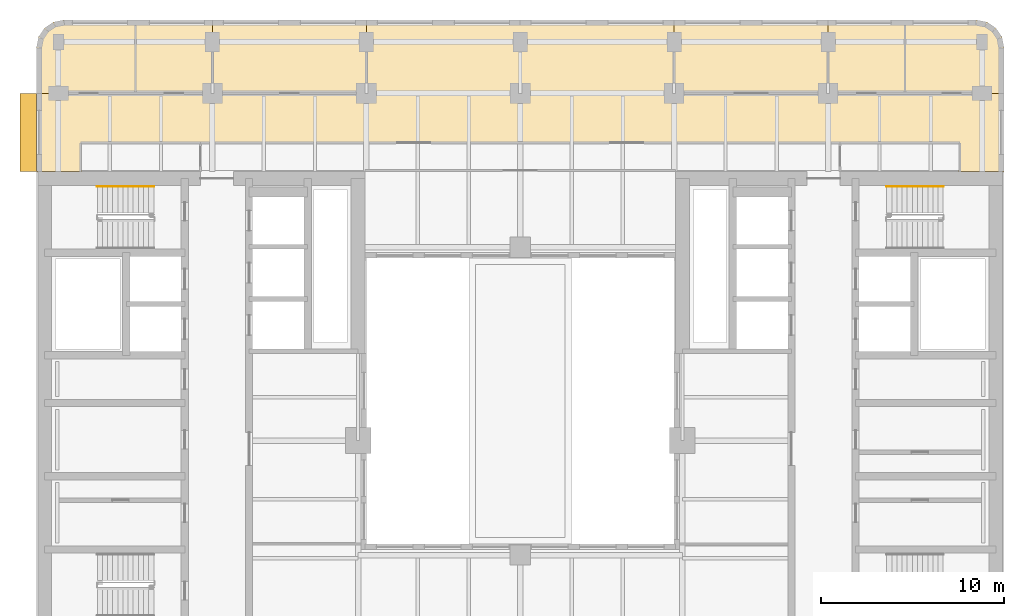
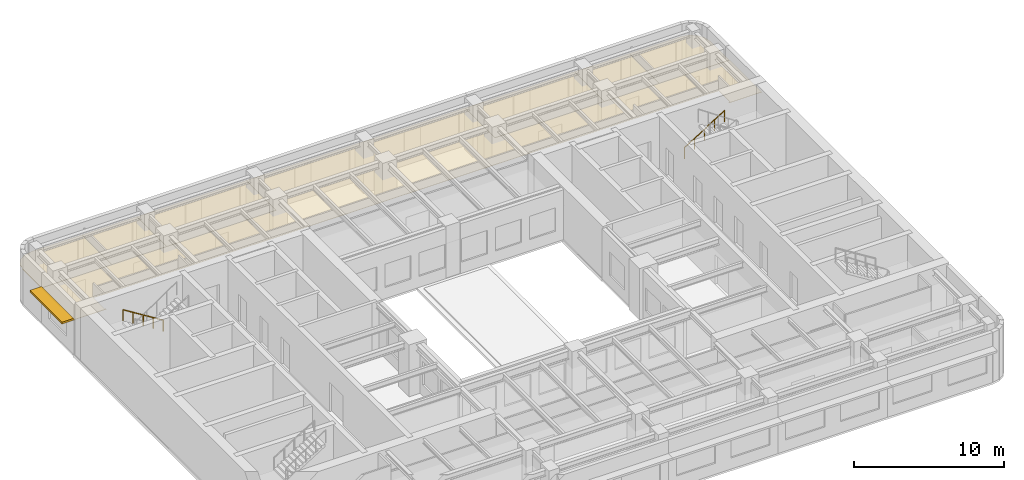
# One storey, part 11 of 11: 7 coverings, 2 railings, 1 shading device.
"""IFC4 building model written with IfcOpenShell, lengths in metres."""

from ifc_helpers import new_model, si_unit, direction, frame, origin, origin_2d, place, context, subcontext, project, spatial, polyline, rectangle, circle, outline, extrude, material, layer, layer_set, type_object, element, save


model = new_model("IFC4")

# Units and contexts
model_context = context("Model", 3, precision=1e-05, world=origin(), true_north=direction((0.0, 1.0)))
body_context = subcontext(model_context, "Body", "Model", "MODEL_VIEW")
ifc_project = project(units=[si_unit("LENGTHUNIT", "METRE"), si_unit("AREAUNIT", "SQUARE_METRE"), si_unit("VOLUMEUNIT", "CUBIC_METRE"), si_unit("PLANEANGLEUNIT", "RADIAN"), si_unit("MASSUNIT", "GRAM", prefix="KILO")], contexts=[model_context])

# Site, building, storey
site_placement = place(None, origin())
site = spatial("IfcSite", under=ifc_project, at=site_placement, CompositionType="ELEMENT")
building_placement = place(site_placement, origin())
building = spatial("IfcBuilding", under=site, at=building_placement, Name="Claustro Exchange Tower", CompositionType="ELEMENT")
storey_placement = place(building_placement, frame((0.0, 0.0, 177.60009765625)))
storey = spatial("IfcBuildingStorey", under=building, at=storey_placement, Name="L40", CompositionType="ELEMENT", Elevation=177.60009765625)

# Coverings
ifc_material_1 = material(Name="Perforated metal ceiling tiles", Category="steel")
ifc_layer_1 = layer(ifc_material_1, 0.030029296875)
ifc_layer_set_1 = layer_set([ifc_layer_1], Name="Perforated metal ceiling tiles")
covering_type_1 = type_object("IfcCoveringType", Name="CL1 suspended metal ceiling", PredefinedType="CEILING", material=ifc_layer_set_1)
covering_1_placement = place(storey_placement, frame((0.0, 0.0, 2.7998046875)))
element("IfcCovering", 1, at=covering_1_placement, inside=storey, type_object=covering_type_1, Name="Ceiling CL1 L40-17", PredefinedType="CEILING", context=body_context, shape_type="SweptSolid", body=[
    extrude(outline(polyline([(-1.125, 37.72509765625), (1.294921875, 37.72509765625), (1.294921875, 37.800048828125), (1.199951171875, 37.800048828125), (1.199951171875, 39.300048828125), (49.199951171875, 39.300048828125), (49.199951171875, 37.800048828125), (49.10498046875, 37.800048828125), (49.10498046875, 37.72509765625), (51.52490234375, 37.72509765625), (51.52490234375, 37.705078125), (51.60009765625, 37.705078125), (51.60009765625, 42.0), (33.60009765625, 42.0), (33.60009765625, 46.0), (16.800048828125, 46.0), (16.800048828125, 42.0), (-1.199951171875, 42.0), (-1.199951171875, 37.705078125), (-1.125, 37.705078125), (-1.125, 37.72509765625)])), origin(), (0.0, 0.0, 1.0), 0.030029296875),
])
ifc_material_2 = material(Name="Gypsum board ceiling", Category="gypsum board")
ifc_layer_2 = layer(ifc_material_2, 0.02490234375)
ifc_layer_set_2 = layer_set([ifc_layer_2], Name="Gypsum board ceiling")
covering_type_2 = type_object("IfcCoveringType", Name="CL2 plasterboard ceiling", PredefinedType="CEILING", material=ifc_layer_set_2)
covering_2_placement = place(storey_placement, frame((0.0, 0.0, 2.7998046875)))
element("IfcCovering", 2, at=covering_2_placement, inside=storey, type_object=covering_type_2, Name="Ceiling CL2 L40-18", PredefinedType="CEILING", context=body_context, shape_type="SweptSolid", body=[
    extrude(outline(polyline([(-1.199951171875, 44.5), (-1.199951171875, 42.0), (4.199951171875, 42.0), (4.199951171875, 46.0), (0.300048828125, 46.0), (-0.27392578125, 45.8857421875), (-0.7607421875, 45.560791015625), (-1.085693359375, 45.073974609375), (-1.199951171875, 44.5)])), origin(), (0.0, 0.0, 1.0), 0.025146484375),
])
covering_3_placement = place(storey_placement, frame((0.0, 0.0, 2.7998046875)))
element("IfcCovering", 3, at=covering_3_placement, inside=storey, type_object=covering_type_2, Name="Ceiling CL2 L40-19", PredefinedType="CEILING", context=body_context, shape_type="SweptSolid", body=[
    extrude(outline(polyline([(8.39990234375, 46.0), (4.199951171875, 46.0), (4.199951171875, 42.0), (8.39990234375, 42.0), (8.39990234375, 46.0)])), origin(), (0.0, 0.0, 1.0), 0.025146484375),
])
covering_4_placement = place(storey_placement, frame((0.0, 0.0, 2.7998046875)))
element("IfcCovering", 4, at=covering_4_placement, inside=storey, type_object=covering_type_2, Name="Ceiling CL2 L40-20", PredefinedType="CEILING", context=body_context, shape_type="SweptSolid", body=[
    extrude(outline(polyline([(16.800048828125, 46.0), (8.39990234375, 46.0), (8.39990234375, 42.0), (16.800048828125, 42.0), (16.800048828125, 46.0)])), origin(), (0.0, 0.0, 1.0), 0.025146484375),
])
covering_5_placement = place(storey_placement, frame((0.0, 0.0, 2.7998046875)))
element("IfcCovering", 5, at=covering_5_placement, inside=storey, type_object=covering_type_2, Name="Ceiling CL2 L40-21", PredefinedType="CEILING", context=body_context, shape_type="SweptSolid", body=[
    extrude(outline(polyline([(42.0, 46.0), (33.60009765625, 46.0), (33.60009765625, 42.0), (42.0, 42.0), (42.0, 46.0)])), origin(), (0.0, 0.0, 1.0), 0.025146484375),
])
covering_6_placement = place(storey_placement, frame((0.0, 0.0, 2.7998046875)))
element("IfcCovering", 6, at=covering_6_placement, inside=storey, type_object=covering_type_2, Name="Ceiling CL2 L40-22", PredefinedType="CEILING", context=body_context, shape_type="SweptSolid", body=[
    extrude(outline(polyline([(46.199951171875, 46.0), (42.0, 46.0), (42.0, 42.0), (46.199951171875, 42.0), (46.199951171875, 46.0)])), origin(), (0.0, 0.0, 1.0), 0.025146484375),
])
covering_7_placement = place(storey_placement, frame((0.0, 0.0, 2.7998046875)))
element("IfcCovering", 7, at=covering_7_placement, inside=storey, type_object=covering_type_2, Name="Ceiling CL2 L40-23", PredefinedType="CEILING", context=body_context, shape_type="SweptSolid", body=[
    extrude(outline(polyline([(50.10009765625, 46.0), (46.199951171875, 46.0), (46.199951171875, 42.0), (51.60009765625, 42.0), (51.60009765625, 44.5), (51.48583984375, 45.073974609375), (51.16064453125, 45.560791015625), (50.674072265625, 45.8857421875), (50.10009765625, 46.0)])), origin(), (0.0, 0.0, 1.0), 0.025146484375),
])

# Railings
ifc_material_3 = material(Name="Stainless steel tube", Category="steel")
railing_type = type_object("IfcRailingType", Name="HR1 900 stair handrail", PredefinedType="HANDRAIL", material=ifc_material_3)
railing_1_placement = place(storey_placement, frame((5.199951171875, 36.9150390625, 0.1748046875)))
element("IfcRailing", 8, at=railing_1_placement, inside=storey, type_object=railing_type, Name="Handrail HR1 stair STWB L40", PredefinedType="HANDRAIL", context=body_context, shape_type="SweptSolid", body=[
    extrude(circle(Radius=0.02392578125, at=origin_2d()), frame((0.0, 0.0, 0.8759765625), z_axis=(-0.847979421464, 0.0, 0.530029150871), x_axis=(0.0, -1.0, 0.0)), (0.0, 0.0, 1.0), 3.632080078125),
    extrude(circle(Radius=0.02099609375, at=origin_2d()), origin(), (0.0, 0.0, 1.0), 0.851806640625),
    extrude(circle(Radius=0.02099609375, at=origin_2d()), frame((-0.77001953125, 0.0, 0.481201171875)), (0.0, 0.0, 1.0), 0.851806640625),
    extrude(circle(Radius=0.02099609375, at=origin_2d()), frame((-1.5400390625, 0.0, 0.96240234375)), (0.0, 0.0, 1.0), 0.851806640625),
    extrude(circle(Radius=0.02099609375, at=origin_2d()), frame((-2.309814453125, 0.0, 1.44384765625)), (0.0, 0.0, 1.0), 0.851806640625),
    extrude(circle(Radius=0.02099609375, at=origin_2d()), frame((-3.079833984375, 0.0, 1.925048828125)), (0.0, 0.0, 1.0), 0.851806640625),
])
railing_2_placement = place(storey_placement, frame((45.199951171875, 36.9150390625, 0.1748046875)))
element("IfcRailing", 9, at=railing_2_placement, inside=storey, type_object=railing_type, Name="Handrail HR1 stair STEB L40", PredefinedType="HANDRAIL", context=body_context, shape_type="SweptSolid", body=[
    extrude(circle(Radius=0.02392578125, at=origin_2d()), frame((0.0, 0.0, 0.8759765625), z_axis=(0.847998304005, 0.0, 0.529998940003), x_axis=(0.0, 1.0, 0.0)), (0.0, 0.0, 1.0), 3.632080078125),
    extrude(circle(Radius=0.02099609375, at=origin_2d()), origin(), (0.0, 0.0, 1.0), 0.851806640625),
    extrude(circle(Radius=0.02099609375, at=origin_2d()), frame((0.77001953125, 0.0, 0.481201171875)), (0.0, 0.0, 1.0), 0.851806640625),
    extrude(circle(Radius=0.02099609375, at=origin_2d()), frame((1.5400390625, 0.0, 0.96240234375)), (0.0, 0.0, 1.0), 0.851806640625),
    extrude(circle(Radius=0.02099609375, at=origin_2d()), frame((2.31005859375, 0.0, 1.44384765625)), (0.0, 0.0, 1.0), 0.851806640625),
    extrude(circle(Radius=0.02099609375, at=origin_2d()), frame((3.080078125, 0.0, 1.925048828125)), (0.0, 0.0, 1.0), 0.851806640625),
])

# Shading device
ifc_material_4 = material(Name="Concrete HA-40 (C40/50), precast, white cement, acid-etched", Category="concrete")
ifc_layer_3 = layer(ifc_material_4, 0.14990234375)
ifc_layer_set_3 = layer_set([ifc_layer_3], Name="Concrete HA-40 (C40/50), precast, white cement, acid-etched")
shading_device_type = type_object("IfcShadingDeviceType", Name="SS2 900 precast concrete SUNSHADE", PredefinedType="SHUTTER", material=ifc_layer_set_3)
shading_device_placement = place(storey_placement, frame((-1.64990234375, 39.862548828125, 2.800048828125), z_axis=(0.0, 0.0, 1.0), x_axis=(0.0, 1.0, 0.0)))
element("IfcShadingDevice", 10, at=shading_device_placement, inside=storey, type_object=shading_device_type, Name="Precast SUNSHADE SS2 L40", PredefinedType="SHUTTER", context=body_context, shape_type="SweptSolid", body=[
    extrude(rectangle(XDim=4.27490234375, YDim=0.89990234375, at=origin_2d()), origin(), (0.0, 0.0, 1.0), 0.14990234375),
])

save(model, "model.ifc")
